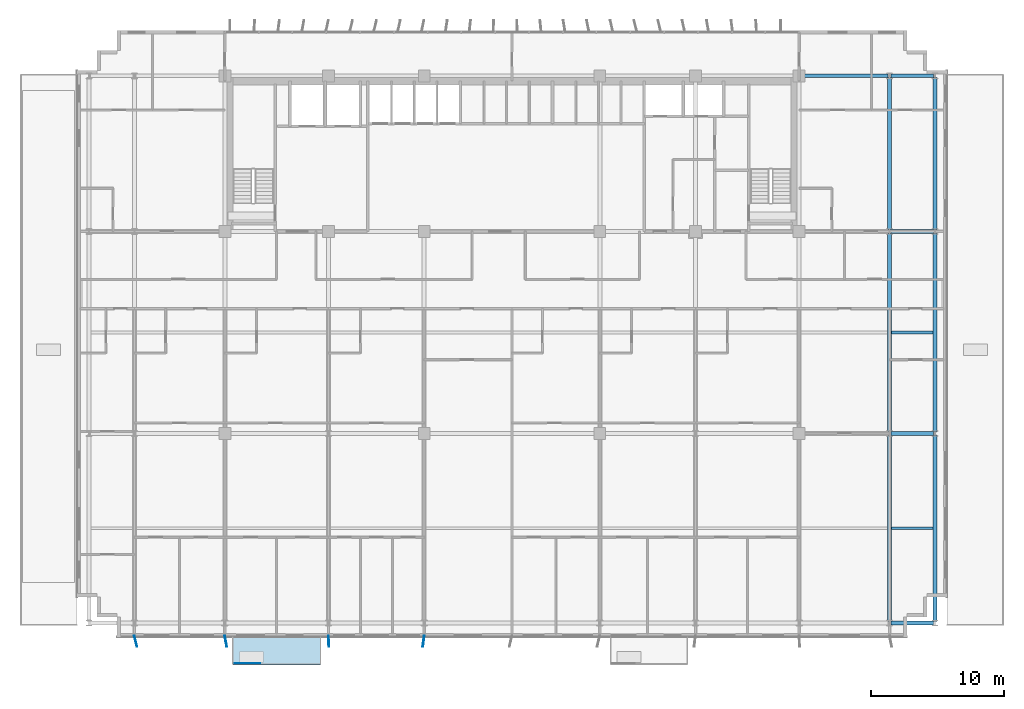
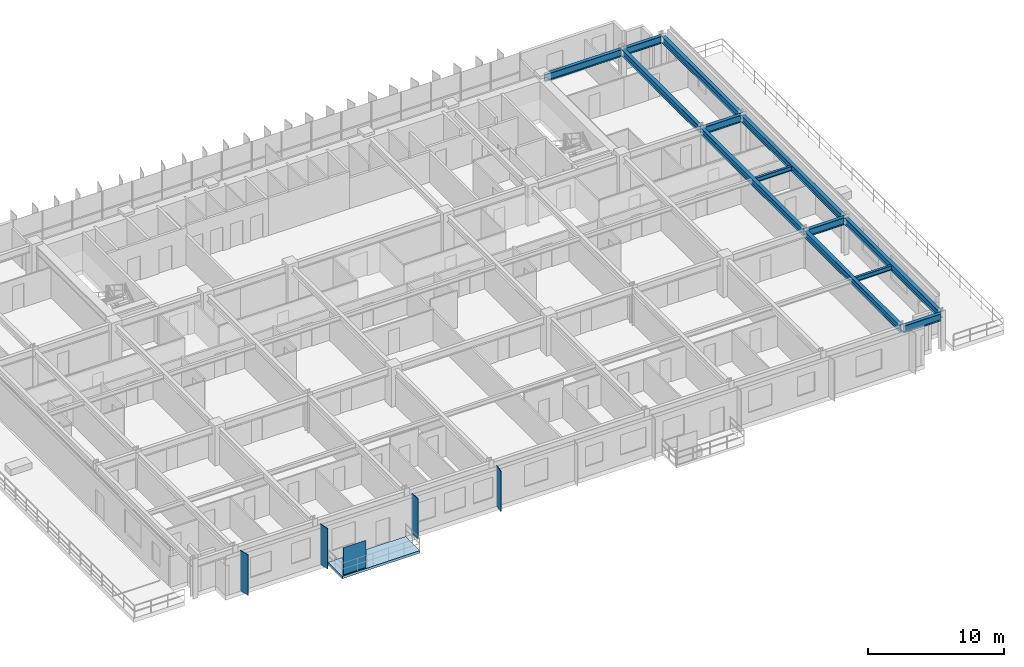
# One storey, part 12 of 26: 13 beams, 5 plates, 1 slab.
"""IFC4 building model written with IfcOpenShell, lengths in metres."""

from ifc_helpers import new_model, si_unit, direction, frame, origin, origin_2d, place, context, subcontext, project, spatial, polyline, rectangle, i_section, outline, extrude, source, transform, mapped, material, layer, layer_set, material_profile, profile_set, type_object, element, save


model = new_model("IFC4")

# Units and contexts
model_context = context("Model", 3, precision=1e-05, world=origin(), true_north=direction((0.0, 1.0)))
body_context = subcontext(model_context, "Body", "Model", "MODEL_VIEW")
ifc_project = project(units=[si_unit("LENGTHUNIT", "METRE"), si_unit("AREAUNIT", "SQUARE_METRE"), si_unit("VOLUMEUNIT", "CUBIC_METRE"), si_unit("PLANEANGLEUNIT", "RADIAN"), si_unit("MASSUNIT", "GRAM", prefix="KILO")], contexts=[model_context])

# Site, building, storey
site_placement = place(None, origin())
site = spatial("IfcSite", under=ifc_project, at=site_placement, CompositionType="ELEMENT")
building_placement = place(site_placement, origin())
building = spatial("IfcBuilding", under=site, at=building_placement, Name="Trelvane Seafront Commons", CompositionType="ELEMENT")
storey_placement = place(building_placement, frame((0.0, 0.0, 23.5)))
storey = spatial("IfcBuildingStorey", under=building, at=storey_placement, Name="L05", CompositionType="ELEMENT", Elevation=23.5)

# Beams
ifc_material_1 = material(Name="Steel SM355 (S355)", Category="steel")
ifc_material_profile_1 = material_profile(ifc_material_1, i_section(OverallWidth=0.280029296875, OverallDepth=0.64990234375, WebThickness=0.012939453125, FlangeThickness=0.02197265625, at=origin_2d()), Name="H-650x280x13x22")
ifc_profile_set_1 = profile_set([ifc_material_profile_1], Name="Steel SM355 (S355)")
beam_type_1 = type_object("IfcBeamType", Name="STR-BM-H650", PredefinedType="BEAM", material=ifc_profile_set_1)
shared_shape_1 = source(origin(), body_context, "Body", "SweptSolid", [
    extrude(i_section(OverallWidth=0.280029296875, OverallDepth=0.64990234375, WebThickness=0.012939453125, FlangeThickness=0.02197265625, at=origin_2d()), origin(), (0.0, 0.0, 1.0), 3.18994140625),
])
for number, where, z_axis, x_axis, name in (
    (1, (65.705078125, 3.949951171875, 3.014892578125), (1.0, 0.0, 0.0), (0.0, 1.0, 0.0), "L05 Primary Girder G-09"),
    (2, (65.705078125, 18.199951171875, 3.014892578125), (1.0, 0.0, 0.0), (0.0, 1.0, 0.0), "L05 Primary Girder G-18"),
    (3, (65.705078125, 33.39990234375, 3.014892578125), (1.0, 0.0, 0.0), (0.0, 1.0, 0.0), "L05 Primary Girder G-27"),
    (4, (65.705078125, 45.10009765625, 3.014892578125), (1.0, 0.0, 0.0), (0.0, 1.0, 0.0), "L05 Primary Girder G-36"),
):
    element("IfcBeam", number, at=place(storey_placement, frame(where, z_axis=z_axis, x_axis=x_axis)), inside=storey, type_object=beam_type_1, Name=name, PredefinedType="BEAM", context=body_context, shape_type="MappedRepresentation", body=[
        mapped(shared_shape_1, transform((0.0, 0.0, 0.0), x_axis=(1.0, 0.0, 0.0), y_axis=(0.0, 1.0, 0.0), z_axis=(0.0, 0.0, 1.0), scale=1.0)),
    ])
shared_shape_2 = source(origin(), body_context, "Body", "SweptSolid", [
    extrude(i_section(OverallWidth=0.280029296875, OverallDepth=0.64990234375, WebThickness=0.012939453125, FlangeThickness=0.02197265625, at=origin_2d()), origin(), (0.0, 0.0, 1.0), 6.545166015625),
])
beam_placement = place(storey_placement, frame((58.949951171875, 45.10009765625, 3.014892578125), z_axis=(1.0, 0.0, 0.0), x_axis=(0.0, 1.0, 0.0)))
element("IfcBeam", 5, at=beam_placement, inside=storey, type_object=beam_type_1, Name="L05 Primary Girder G-35", PredefinedType="BEAM", context=body_context, shape_type="MappedRepresentation", body=[
    mapped(shared_shape_2, transform((0.0, 0.0, 0.0), x_axis=(1.0, 0.0, 0.0), y_axis=(0.0, 1.0, 0.0), z_axis=(0.0, 0.0, 1.0), scale=1.0)),
])
ifc_material_profile_2 = material_profile(ifc_material_1, i_section(OverallWidth=0.300048828125, OverallDepth=0.587890625, WebThickness=0.011962890625, FlangeThickness=0.02001953125, at=origin_2d()), Name="H-588x300x12x20")
ifc_profile_set_2 = profile_set([ifc_material_profile_2], Name="Steel SM355 (S355)")
beam_type_2 = type_object("IfcBeamType", Name="STR-BM-H588", PredefinedType="BEAM", material=ifc_profile_set_2)
shared_shape_3 = source(origin(), body_context, "Body", "SweptSolid", [
    extrude(i_section(OverallWidth=0.300048828125, OverallDepth=0.587890625, WebThickness=0.011962890625, FlangeThickness=0.02001953125, at=origin_2d()), origin(), (0.0, 0.0, 1.0), 14.0400390625),
])
for number, where, z_axis, x_axis, name in (
    (6, (65.60009765625, 4.054931640625, 3.0458984375), (0.0, 1.0, 0.0), (-1.0, 0.0, 0.0), "L05 Primary Girder G-61"),
    (7, (69.0, 4.054931640625, 3.0458984375), (0.0, 1.0, 0.0), (-1.0, 0.0, 0.0), "L05 Primary Girder G-64"),
):
    element("IfcBeam", number, at=place(storey_placement, frame(where, z_axis=z_axis, x_axis=x_axis)), inside=storey, type_object=beam_type_2, Name=name, PredefinedType="BEAM", context=body_context, shape_type="MappedRepresentation", body=[
        mapped(shared_shape_3, transform((0.0, 0.0, 0.0), x_axis=(1.0, 0.0, 0.0), y_axis=(0.0, 1.0, 0.0), z_axis=(0.0, 0.0, 1.0), scale=1.0)),
    ])
shared_shape_4 = source(origin(), body_context, "Body", "SweptSolid", [
    extrude(i_section(OverallWidth=0.300048828125, OverallDepth=0.587890625, WebThickness=0.011962890625, FlangeThickness=0.02001953125, at=origin_2d()), origin(), (0.0, 0.0, 1.0), 14.989990234375),
])
for number, where, z_axis, x_axis, name in (
    (8, (65.60009765625, 18.304931640625, 3.0458984375), (0.0, 1.0, 0.0), (-1.0, 0.0, 0.0), "L05 Primary Girder G-62"),
    (9, (69.0, 18.304931640625, 3.0458984375), (0.0, 1.0, 0.0), (-1.0, 0.0, 0.0), "L05 Primary Girder G-65"),
):
    element("IfcBeam", number, at=place(storey_placement, frame(where, z_axis=z_axis, x_axis=x_axis)), inside=storey, type_object=beam_type_2, Name=name, PredefinedType="BEAM", context=body_context, shape_type="MappedRepresentation", body=[
        mapped(shared_shape_4, transform((0.0, 0.0, 0.0), x_axis=(1.0, 0.0, 0.0), y_axis=(0.0, 1.0, 0.0), z_axis=(0.0, 0.0, 1.0), scale=1.0)),
    ])
shared_shape_5 = source(origin(), body_context, "Body", "SweptSolid", [
    extrude(i_section(OverallWidth=0.300048828125, OverallDepth=0.587890625, WebThickness=0.011962890625, FlangeThickness=0.02001953125, at=origin_2d()), origin(), (0.0, 0.0, 1.0), 11.490234375),
])
for number, where, z_axis, x_axis, name in (
    (10, (65.60009765625, 33.5048828125, 3.0458984375), (0.0, 1.0, 0.0), (-1.0, 0.0, 0.0), "L05 Primary Girder G-63"),
    (11, (69.0, 33.5048828125, 3.0458984375), (0.0, 1.0, 0.0), (-1.0, 0.0, 0.0), "L05 Primary Girder G-66"),
):
    element("IfcBeam", number, at=place(storey_placement, frame(where, z_axis=z_axis, x_axis=x_axis)), inside=storey, type_object=beam_type_2, Name=name, PredefinedType="BEAM", context=body_context, shape_type="MappedRepresentation", body=[
        mapped(shared_shape_5, transform((0.0, 0.0, 0.0), x_axis=(1.0, 0.0, 0.0), y_axis=(0.0, 1.0, 0.0), z_axis=(0.0, 0.0, 1.0), scale=1.0)),
    ])
ifc_material_profile_3 = material_profile(ifc_material_1, i_section(OverallWidth=0.199951171875, OverallDepth=0.39990234375, WebThickness=0.008056640625, FlangeThickness=0.012939453125, at=origin_2d()), Name="H-400x200x8x13")
ifc_profile_set_3 = profile_set([ifc_material_profile_3], Name="Steel SM355 (S355)")
beam_type_3 = type_object("IfcBeamType", Name="STR-JST-H400", PredefinedType="JOIST", material=ifc_profile_set_3)
shared_shape_6 = source(origin(), body_context, "Body", "SweptSolid", [
    extrude(i_section(OverallWidth=0.199951171875, OverallDepth=0.39990234375, WebThickness=0.008056640625, FlangeThickness=0.012939453125, at=origin_2d()), origin(), (0.0, 0.0, 1.0), 3.10009765625),
])
for number, where, z_axis, x_axis, name in (
    (12, (65.75, 11.074951171875, 3.139892578125), (1.0, 0.0, 0.0), (0.0, 1.0, 0.0), "L05 Secondary Floor Joist B-75"),
    (13, (65.75, 25.800048828125, 3.139892578125), (1.0, 0.0, 0.0), (0.0, 1.0, 0.0), "L05 Secondary Floor Joist B-84"),
):
    element("IfcBeam", number, at=place(storey_placement, frame(where, z_axis=z_axis, x_axis=x_axis)), inside=storey, type_object=beam_type_3, Name=name, PredefinedType="JOIST", context=body_context, shape_type="MappedRepresentation", body=[
        mapped(shared_shape_6, transform((0.0, 0.0, 0.0), x_axis=(1.0, 0.0, 0.0), y_axis=(0.0, 1.0, 0.0), z_axis=(0.0, 0.0, 1.0), scale=1.0)),
    ])

# Slab
ifc_material_2 = material(Name="Concrete C40/50", Category="concrete")
ifc_layer_1 = layer(ifc_material_2, 0.219970703125, Name="ARCH-BALC-220")
ifc_layer_set_1 = layer_set([ifc_layer_1], Name="Concrete C40/50")
slab_type = type_object("IfcSlabType", Name="ARCH-BALC-220", PredefinedType="FLOOR", material=ifc_layer_set_1)
slab_placement = place(storey_placement, frame((0.0, 0.0, -0.219970703125)))
element("IfcSlab", 14, at=slab_placement, inside=storey, type_object=slab_type, Name="L05 Cantilevered Tree Balcony Loggia 1", PredefinedType="FLOOR", context=body_context, shape_type="SweptSolid", body=[
    extrude(outline(polyline([(16.199951171875, 0.800048828125), (22.800048828125, 0.800048828125), (22.800048828125, 2.89990234375), (16.199951171875, 2.89990234375), (16.199951171875, 0.800048828125)])), origin(), (0.0, 0.0, 1.0), 0.219970703125),
])

# Plates
ifc_material_3 = material(Name="Perforated anodised aluminium screen", Category="aluminium")
ifc_layer_2 = layer(ifc_material_3, 0.01611328125, Name="ARCH-PLATE-SCREEN")
ifc_layer_set_2 = layer_set([ifc_layer_2], Name="Perforated anodised aluminium screen")
plate_type_1 = type_object("IfcPlateType", Name="ARCH-PLATE-SCREEN", PredefinedType="USERDEFINED", material=ifc_layer_set_2)
shared_shape_7 = source(origin(), body_context, "Body", "SweptSolid", [
    extrude(rectangle(XDim=1.9140625, YDim=0.01611328125, at=origin_2d()), origin(), (0.0, 0.0, 1.0), 2.449951171875),
])
plate_placement = place(storey_placement, frame((17.306884765625, 0.919921875, 0.0), z_axis=(0.0, 0.0, 1.0), x_axis=(1.0, 0.0, 0.0)))
element("IfcPlate", 15, at=plate_placement, inside=storey, type_object=plate_type_1, Name="SCR-L05-00016", ObjectType="SCREEN", PredefinedType="USERDEFINED", context=body_context, shape_type="MappedRepresentation", body=[
    mapped(shared_shape_7, transform((0.0, 0.0, 0.0), x_axis=(1.0, 0.0, 0.0), y_axis=(0.0, 1.0, 0.0), z_axis=(0.0, 0.0, 1.0), scale=1.0)),
])
ifc_material_4 = material(Name="Anodised pale-silver aluminium", Category="aluminium")
ifc_layer_3 = layer(ifc_material_4, 0.06005859375, Name="ARCH-PLATE-FIN900")
ifc_layer_set_3 = layer_set([ifc_layer_3], Name="Anodised pale-silver aluminium")
plate_type_2 = type_object("IfcPlateType", Name="ARCH-PLATE-FIN900", PredefinedType="USERDEFINED", material=ifc_layer_set_3)
shared_shape_8 = source(origin(), body_context, "Body", "SweptSolid", [
    extrude(rectangle(XDim=0.85009765625, YDim=0.06005859375, at=origin_2d()), origin(), (0.0, 0.0, 1.0), 3.639892578125),
])
for number, where, z_axis, x_axis, name in (
    (16, (8.90283203125, 2.587646484375, -0.02001953125), (0.0, 0.0, 1.0), (0.241871090703, -0.970308391947, 0.0), "FIN-S-L05-00025"),
    (17, (15.678955078125, 2.58251953125, -0.02001953125), (0.0, 0.0, 1.0), (0.18576608344, -0.982593996645, 0.0), "FIN-S-L05-00026"),
    (18, (23.417724609375, 2.575439453125, -0.02001953125), (0.0, 0.0, 1.0), (0.041528635348, -0.99913731411, 0.0), "FIN-S-L05-00027"),
    (19, (30.547607421875, 2.578125, -0.02001953125), (0.0, 0.0, 1.0), (-0.123064555428, -0.992398667471, 0.0), "FIN-S-L05-00028"),
):
    element("IfcPlate", number, at=place(storey_placement, frame(where, z_axis=z_axis, x_axis=x_axis)), inside=storey, type_object=plate_type_2, Name=name, ObjectType="FIN", PredefinedType="USERDEFINED", context=body_context, shape_type="MappedRepresentation", body=[
        mapped(shared_shape_8, transform((0.0, 0.0, 0.0), x_axis=(1.0, 0.0, 0.0), y_axis=(0.0, 1.0, 0.0), z_axis=(0.0, 0.0, 1.0), scale=1.0)),
    ])

save(model, "model.ifc")
